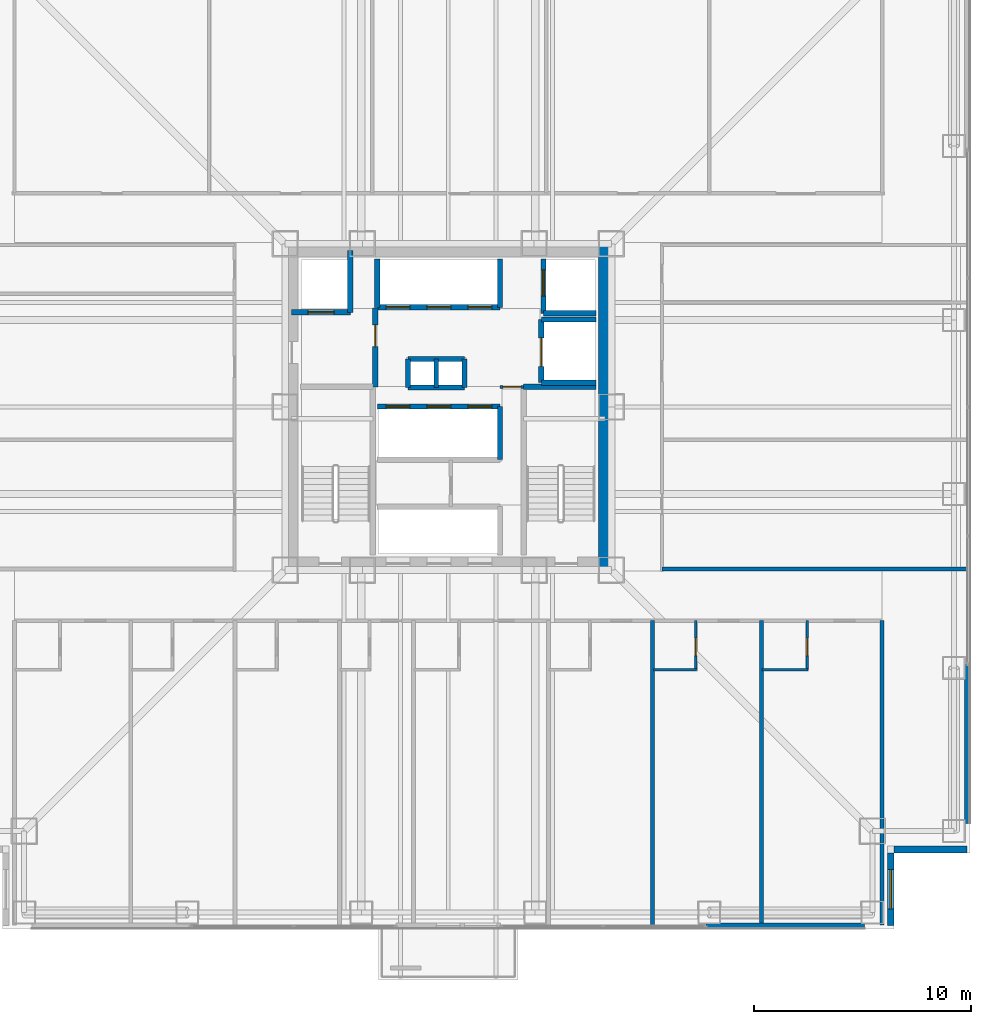
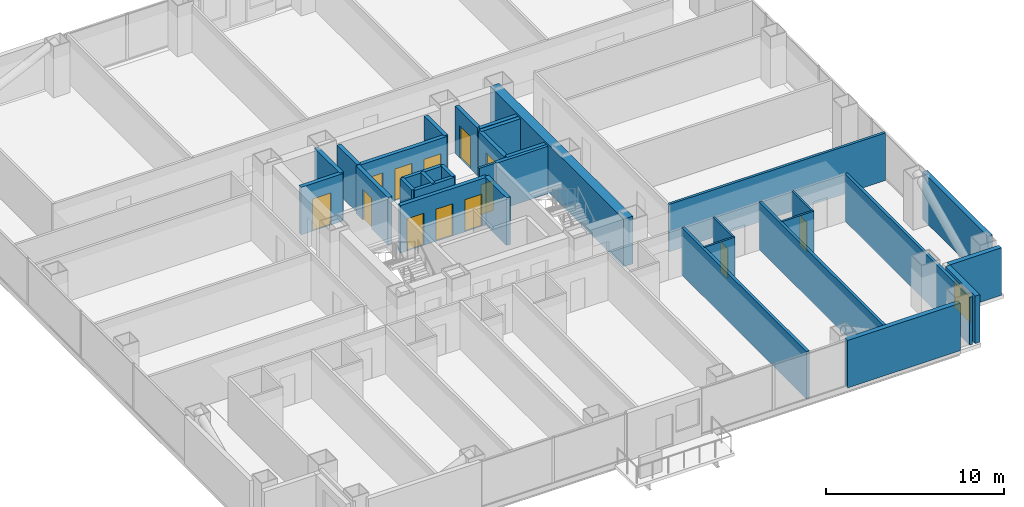
# One storey, part 12 of 16: 33 walls, 13 doors, 1 window, 14 openings.
"""IFC4 building model written with IfcOpenShell, lengths in metres."""

from ifc_helpers import new_model, si_unit, direction, frame, frame_2d, origin, place, context, subcontext, project, spatial, rectangle, extrude, material, layer, layer_set, type_object, element, fill, save


model = new_model("IFC4")

# Units and contexts
model_context = context("Model", 3, precision=1e-05, world=origin(), true_north=direction((0.0, 1.0)))
body_context = subcontext(model_context, "Body", "Model", "MODEL_VIEW")
ifc_project = project(units=[si_unit("LENGTHUNIT", "METRE"), si_unit("AREAUNIT", "SQUARE_METRE"), si_unit("VOLUMEUNIT", "CUBIC_METRE"), si_unit("PLANEANGLEUNIT", "RADIAN"), si_unit("MASSUNIT", "GRAM", prefix="KILO")], contexts=[model_context])

# Site, building, storey
site_placement = place(None, origin())
site = spatial("IfcSite", under=ifc_project, at=site_placement, CompositionType="ELEMENT")
building_placement = place(site_placement, origin())
building = spatial("IfcBuilding", under=site, at=building_placement, Name="Trevonay Congress Spire", CompositionType="ELEMENT")
storey_placement = place(building_placement, frame((0.0, 0.0, 65.5)))
storey = spatial("IfcBuildingStorey", under=building, at=storey_placement, Name="L16", CompositionType="ELEMENT", Elevation=65.5)

# Wall, opening, door
ifc_material_1 = material(Name="Concrete C40/50", Category="concrete")
ifc_layer_1 = layer(ifc_material_1, 0.1201171875, Name="Concrete C40/50")
ifc_layer_set_1 = layer_set([ifc_layer_1], Name="Concrete C40/50")
wall_type_1 = type_object("IfcWallType", Name="WAL-BATH-120", PredefinedType="PLUMBINGWALL", material=ifc_layer_set_1)
wall_1_placement = place(storey_placement, frame((11.388916015625, -12.080078125, 0.0), z_axis=(0.0, 0.0, 1.0), x_axis=(0.0, 1.0, 0.0)))
wall_1 = element("IfcWall", 1, at=wall_1_placement, inside=storey, type_object=wall_type_1, Name="L16 interior wall WH-L16S-BS7", PredefinedType="PLUMBINGWALL", context=body_context, shape_type="SweptSolid", body=[
    extrude(rectangle(XDim=2.25, YDim=0.1201171875, at=frame_2d((1.125, 0.0))), origin(), (0.0, 0.0, 1.0), 3.25),
])
opening_1_placement = place(wall_1_placement, frame((0.64990234375, 0.0, 0.0)))
opening_1 = element("IfcOpeningElement", 2, at=opening_1_placement, cuts=wall_1, Name="Opening D11", PredefinedType="OPENING", context=body_context, shape_type="SweptSolid", body=[
    extrude(rectangle(XDim=0.800048828125, YDim=2.050048828125, at=frame_2d((0.39990234375, 1.02490234375))), frame((0.0, 0.070068359375, 0.0), z_axis=(0.0, -1.0, 0.0), x_axis=(1.0, 0.0, 0.0)), (0.0, 0.0, 1.0), 0.14013671875),
])
ifc_material_2 = material(Name="Pale Anodised Aluminium EN AW-6063-T6", Category="aluminium")
door_type_1 = type_object("IfcDoorType", Name="DOR-BATH-80", OperationType="NOTDEFINED", PredefinedType="DOOR", material=ifc_material_2)
door_1_placement = place(opening_1_placement, origin())
door_1 = element("IfcDoor", 3, at=door_1_placement, inside=storey, type_object=door_type_1, Name="L16 En-suite Bathroom Door", OperationType="SINGLE_SWING_LEFT", OverallHeight=2.050048828125, OverallWidth=0.800048828125, PredefinedType="DOOR", context=body_context, shape_type="SweptSolid", body=[
    extrude(rectangle(XDim=0.800048828125, YDim=2.050048828125, at=frame_2d((0.39990234375, 1.02490234375))), frame((0.0, 0.02490234375, 0.0), z_axis=(0.0, -1.0, 0.0), x_axis=(1.0, 0.0, 0.0)), (0.0, 0.0, 1.0), 0.050048828125),
])
fill(opening_1, door_1)

# Wall
wall_2_placement = place(storey_placement, frame((9.429931640625, -12.080078125, 0.0), z_axis=(0.0, 0.0, 1.0), x_axis=(1.0, 0.0, 0.0)))
element("IfcWall", 4, at=wall_2_placement, inside=storey, type_object=wall_type_1, Name="L16 interior wall WH-L16S-BF7", PredefinedType="PLUMBINGWALL", context=body_context, shape_type="SweptSolid", body=[
    extrude(rectangle(XDim=1.989013671875, YDim=0.1201171875, at=frame_2d((0.99462890625, 0.0))), origin(), (0.0, 0.0, 1.0), 3.25),
])

# Wall, opening, door
wall_3_placement = place(storey_placement, frame((16.5, -12.080078125, 0.0), z_axis=(0.0, 0.0, 1.0), x_axis=(0.0, 1.0, 0.0)))
wall_3 = element("IfcWall", 5, at=wall_3_placement, inside=storey, type_object=wall_type_1, Name="L16 interior wall WH-L16S-BS8", PredefinedType="PLUMBINGWALL", context=body_context, shape_type="SweptSolid", body=[
    extrude(rectangle(XDim=2.25, YDim=0.1201171875, at=frame_2d((1.125, 0.0))), origin(), (0.0, 0.0, 1.0), 3.25),
])
opening_2_placement = place(wall_3_placement, frame((0.64990234375, 0.0, 0.0)))
opening_2 = element("IfcOpeningElement", 6, at=opening_2_placement, cuts=wall_3, Name="Opening D11", PredefinedType="OPENING", context=body_context, shape_type="SweptSolid", body=[
    extrude(rectangle(XDim=0.800048828125, YDim=2.050048828125, at=frame_2d((0.39990234375, 1.02490234375))), frame((0.0, 0.070068359375, 0.0), z_axis=(0.0, -1.0, 0.0), x_axis=(1.0, 0.0, 0.0)), (0.0, 0.0, 1.0), 0.14013671875),
])
door_2_placement = place(opening_2_placement, origin())
door_2 = element("IfcDoor", 7, at=door_2_placement, inside=storey, type_object=door_type_1, Name="L16 En-suite Bathroom Door", OperationType="SINGLE_SWING_RIGHT", OverallHeight=2.050048828125, OverallWidth=0.800048828125, PredefinedType="DOOR", context=body_context, shape_type="SweptSolid", body=[
    extrude(rectangle(XDim=0.800048828125, YDim=2.050048828125, at=frame_2d((0.39990234375, 1.02490234375))), frame((0.0, 0.02490234375, 0.0), z_axis=(0.0, -1.0, 0.0), x_axis=(1.0, 0.0, 0.0)), (0.0, 0.0, 1.0), 0.050048828125),
])
fill(opening_2, door_2)

# Walls
wall_4_placement = place(storey_placement, frame((14.429931640625, -12.080078125, 0.0), z_axis=(0.0, 0.0, 1.0), x_axis=(1.0, 0.0, 0.0)))
element("IfcWall", 8, at=wall_4_placement, inside=storey, type_object=wall_type_1, Name="L16 interior wall WH-L16S-BF8", PredefinedType="PLUMBINGWALL", context=body_context, shape_type="SweptSolid", body=[
    extrude(rectangle(XDim=2.10009765625, YDim=0.1201171875, at=frame_2d((1.050048828125, 0.0))), origin(), (0.0, 0.0, 1.0), 3.25),
])
ifc_material_3 = material(Name="Concrete C60/75", Category="concrete")
ifc_layer_2 = layer(ifc_material_3, 0.60009765625, Name="Concrete C60/75")
ifc_layer_set_2 = layer_set([ifc_layer_2], Name="Concrete C60/75")
wall_type_2 = type_object("IfcWallType", Name="WAL-CORE-600", PredefinedType="SHEAR", material=ifc_layer_set_2)
wall_5_placement = place(storey_placement, frame((7.199951171875, -7.5, 0.0), z_axis=(0.0, 0.0, 1.0), x_axis=(0.0, 1.0, 0.0)))
element("IfcWall", 9, at=wall_5_placement, inside=storey, type_object=wall_type_2, Name="L16 East structural core shear wall", PredefinedType="SHEAR", context=body_context, shape_type="SweptSolid", body=[
    extrude(rectangle(XDim=15.0, YDim=0.60009765625, at=frame_2d((7.5, 0.0))), origin(), (0.0, 0.0, 1.0), 3.25),
])
ifc_material_4 = material(Name="Precast concrete C40/50", Category="concrete")
ifc_layer_3 = layer(ifc_material_4, 0.300048828125, Name="Precast concrete C40/50")
ifc_layer_set_3 = layer_set([ifc_layer_3], Name="Precast concrete C40/50")
wall_type_3 = type_object("IfcWallType", Name="WAL-EXT-PRECAST-300", PredefinedType="SOLIDWALL", material=ifc_layer_set_3)
for number, where, z_axis, x_axis, name in (
    (10, (11.85009765625, -23.8798828125, 0.0), (0.0, 0.0, 1.0), (1.0, 0.0, 0.0), "L16 SR braced-bay exterior pier wall"),
    (11, (23.8798828125, -19.14990234375, 0.0), (0.0, 0.0, 1.0), (0.0, 1.0, 0.0), "L16 EL braced-bay exterior pier wall"),
):
    element("IfcWall", number, at=place(storey_placement, frame(where, z_axis=z_axis, x_axis=x_axis)), inside=storey, type_object=wall_type_3, Name=name, PredefinedType="SOLIDWALL", context=body_context, shape_type="SweptSolid", body=[
        extrude(rectangle(XDim=7.2998046875, YDim=0.300048828125, at=frame_2d((3.64990234375, 0.0))), origin(), (0.0, 0.0, 1.0), 3.25),
    ])

# Wall, opening, window
wall_6_placement = place(storey_placement, frame((20.35009765625, -23.85009765625, 0.0), z_axis=(0.0, 0.0, 1.0), x_axis=(0.0, 1.0, 0.0)))
wall_6 = element("IfcWall", 12, at=wall_6_placement, inside=storey, type_object=wall_type_3, Name="L16 SE re-entrant notch exterior wall 1", PredefinedType="SOLIDWALL", context=body_context, shape_type="SweptSolid", body=[
    extrude(rectangle(XDim=3.35009765625, YDim=0.300048828125, at=frame_2d((1.675048828125, 0.0))), origin(), (0.0, 0.0, 1.0), 3.25),
])
opening_3_placement = place(wall_6_placement, frame((0.77490234375, 0.0, 0.89990234375)))
opening_3 = element("IfcOpeningElement", 13, at=opening_3_placement, cuts=wall_6, Name="Opening WN01", PredefinedType="OPENING", context=body_context, shape_type="SweptSolid", body=[
    extrude(rectangle(XDim=1.800048828125, YDim=1.800048828125, at=frame_2d((0.89990234375, 0.89990234375))), frame((0.0, 0.16015625, 0.0), z_axis=(0.0, -1.0, 0.0), x_axis=(1.0, 0.0, 0.0)), (0.0, 0.0, 1.0), 0.320068359375),
])
ifc_material_5 = material(Name="Insulated Low-E Vision Glass IGU", Category="glass")
window_type = type_object("IfcWindowType", Name="WIN-HOTEL-180X180", PartitioningType="SINGLE_PANEL", PredefinedType="WINDOW", material=ifc_material_5)
window_placement = place(opening_3_placement, origin())
window = element("IfcWindow", 14, at=window_placement, inside=storey, type_object=window_type, Name="L16 SE corner notch window", OverallHeight=1.800048828125, OverallWidth=1.800048828125, PartitioningType="SINGLE_PANEL", PredefinedType="WINDOW", context=body_context, shape_type="SweptSolid", body=[
    extrude(rectangle(XDim=1.800048828125, YDim=1.800048828125, at=frame_2d((0.89990234375, 0.89990234375))), frame((0.0, 0.030029296875, 0.0), z_axis=(0.0, -1.0, 0.0), x_axis=(1.0, 0.0, 0.0)), (0.0, 0.0, 1.0), 0.06005859375),
])
fill(opening_3, window)

# Walls
wall_7_placement = place(storey_placement, frame((23.85009765625, -20.35009765625, 0.0), z_axis=(0.0, 0.0, 1.0), x_axis=(-1.0, 0.0, 0.0)))
element("IfcWall", 15, at=wall_7_placement, inside=storey, type_object=wall_type_3, Name="L16 SE re-entrant notch exterior wall 2", PredefinedType="SOLIDWALL", context=body_context, shape_type="SweptSolid", body=[
    extrude(rectangle(XDim=3.35009765625, YDim=0.300048828125, at=frame_2d((1.675048828125, 0.0))), origin(), (0.0, 0.0, 1.0), 3.25),
])
ifc_layer_4 = layer(ifc_material_1, 0.179931640625, Name="Concrete C40/50")
ifc_layer_set_4 = layer_set([ifc_layer_4], Name="Concrete C40/50")
wall_type_4 = type_object("IfcWallType", Name="WAL-HOTEL-180", PredefinedType="PARTITIONING", material=ifc_layer_set_4)
for number, where, z_axis, x_axis, name in (
    (16, (9.39990234375, -23.820068359375, 0.0), (0.0, 0.0, 1.0), (0.0, 1.0, 0.0), "L16 interior wall WH-L16S-DIV7"),
    (17, (14.39990234375, -23.820068359375, 0.0), (0.0, 0.0, 1.0), (0.0, 1.0, 0.0), "L16 interior wall WH-L16S-DIV8"),
    (18, (19.949951171875, -23.820068359375, 0.0), (0.0, 0.0, 1.0), (0.0, 1.0, 0.0), "L16 interior wall WH-L16S-DIV9"),
):
    element("IfcWall", number, at=place(storey_placement, frame(where, z_axis=z_axis, x_axis=x_axis)), inside=storey, type_object=wall_type_4, Name=name, PredefinedType="PARTITIONING", context=body_context, shape_type="SweptSolid", body=[
        extrude(rectangle(XDim=13.989990234375, YDim=0.179931640625, at=frame_2d((6.9951171875, 0.0))), origin(), (0.0, 0.0, 1.0), 3.25),
    ])

# Wall, opening, door
ifc_layer_5 = layer(ifc_material_1, 0.14990234375, Name="Concrete C40/50")
ifc_layer_set_5 = layer_set([ifc_layer_5], Name="Concrete C40/50")
wall_type_5 = type_object("IfcWallType", Name="WAL-PART-150", PredefinedType="PARTITIONING", material=ifc_layer_set_5)
wall_8_placement = place(storey_placement, frame((2.3798828125, 0.919921875, 0.0), z_axis=(0.0, 0.0, 1.0), x_axis=(1.0, 0.0, 0.0)))
wall_8 = element("IfcWall", 19, at=wall_8_placement, inside=storey, type_object=wall_type_5, Name="L16 interior wall CW-CSRV-N-L16", PredefinedType="PARTITIONING", context=body_context, shape_type="SweptSolid", body=[
    extrude(rectangle(XDim=1.090087890625, YDim=0.14990234375, at=frame_2d((0.544921875, 0.0))), origin(), (0.0, 0.0, 1.0), 3.25),
])
opening_4_placement = place(wall_8_placement, frame((0.135009765625, 0.0, 0.0)))
opening_4 = element("IfcOpeningElement", 20, at=opening_4_placement, cuts=wall_8, Name="Opening D13", PredefinedType="OPENING", context=body_context, shape_type="SweptSolid", body=[
    extrude(rectangle(XDim=0.820068359375, YDim=2.050048828125, at=frame_2d((0.41015625, 1.02490234375))), frame((0.0, 0.0849609375, 0.0), z_axis=(0.0, -1.0, 0.0), x_axis=(1.0, 0.0, 0.0)), (0.0, 0.0, 1.0), 0.169921875),
])
ifc_material_6 = material(Name="Steel ASTM A572 Grade 50", Category="steel")
door_type_2 = type_object("IfcDoorType", Name="DOR-UTIL-80", OperationType="NOTDEFINED", PredefinedType="DOOR", material=ifc_material_6)
door_3_placement = place(opening_4_placement, origin())
door_3 = element("IfcDoor", 21, at=door_3_placement, inside=storey, type_object=door_type_2, Name="L16 Core Service Pocket Door", OperationType="SINGLE_SWING_LEFT", OverallHeight=2.050048828125, OverallWidth=0.820068359375, PredefinedType="DOOR", context=body_context, shape_type="SweptSolid", body=[
    extrude(rectangle(XDim=0.820068359375, YDim=2.050048828125, at=frame_2d((0.41015625, 1.02490234375))), frame((0.0, 0.02490234375, 0.0), z_axis=(0.0, -1.0, 0.0), x_axis=(1.0, 0.0, 0.0)), (0.0, 0.0, 1.0), 0.050048828125),
])
fill(opening_4, door_3)

# Walls
ifc_layer_6 = layer(ifc_material_1, 0.219970703125, Name="Concrete C40/50")
ifc_layer_set_6 = layer_set([ifc_layer_6], Name="Concrete C40/50")
wall_type_6 = type_object("IfcWallType", Name="WAL-SHAFT-220", PredefinedType="PARTITIONING", material=ifc_layer_set_6)
for number, where, z_axis, x_axis, name in (
    (22, (-1.85009765625, 2.199951171875, 0.0), (0.0, 0.0, 1.0), (1.0, 0.0, 0.0), "L16 interior shaft wall WSH-L16-RSR-N"),
    (23, (-1.85009765625, 0.89990234375, 0.0), (0.0, 0.0, 1.0), (1.0, 0.0, 0.0), "L16 interior shaft wall WSH-L16-RSR-S"),
):
    element("IfcWall", number, at=place(storey_placement, frame(where, z_axis=z_axis, x_axis=x_axis)), inside=storey, type_object=wall_type_6, Name=name, PredefinedType="PARTITIONING", context=body_context, shape_type="SweptSolid", body=[
        extrude(rectangle(XDim=2.60009765625, YDim=0.219970703125, at=frame_2d((1.300048828125, 0.0))), origin(), (0.0, 0.0, 1.0), 3.25),
    ])
for number, where, z_axis, x_axis, name in (
    (24, (-0.550048828125, 0.89990234375, 0.0), (0.0, 0.0, 1.0), (0.0, 1.0, 0.0), "L16 interior shaft wall WSH-L16-RSR-M"),
    (25, (0.75, 0.89990234375, 0.0), (0.0, 0.0, 1.0), (0.0, 1.0, 0.0), "L16 interior shaft wall WSH-L16-RSR-E"),
    (26, (-1.85009765625, 0.89990234375, 0.0), (0.0, 0.0, 1.0), (0.0, 1.0, 0.0), "L16 interior shaft wall WSH-L16-RSR-W"),
):
    element("IfcWall", number, at=place(storey_placement, frame(where, z_axis=z_axis, x_axis=x_axis)), inside=storey, type_object=wall_type_6, Name=name, PredefinedType="PARTITIONING", context=body_context, shape_type="SweptSolid", body=[
        extrude(rectangle(XDim=1.300048828125, YDim=0.219970703125, at=frame_2d((0.64990234375, 0.0))), origin(), (0.0, 0.0, 1.0), 3.25),
    ])

# Wall, openings, doors
ifc_layer_7 = layer(ifc_material_1, 0.25, Name="Concrete C40/50")
ifc_layer_set_7 = layer_set([ifc_layer_7], Name="Concrete C40/50")
wall_type_7 = type_object("IfcWallType", Name="WAL-SHAFT-250", PredefinedType="SHEAR", material=ifc_layer_set_7)
wall_9_placement = place(storey_placement, frame((-3.260009765625, 0.02001953125, 0.0), z_axis=(0.0, 0.0, 1.0), x_axis=(1.0, 0.0, 0.0)))
wall_9 = element("IfcWall", 27, at=wall_9_placement, inside=storey, type_object=wall_type_7, Name="L16 interior shaft wall WSH-L16-B2-N", PredefinedType="SHEAR", context=body_context, shape_type="SweptSolid", body=[
    extrude(rectangle(XDim=5.639892578125, YDim=0.25, at=frame_2d((2.81982421875, 0.0))), origin(), (0.0, 0.0, 1.0), 3.25),
])
opening_5_placement = place(wall_9_placement, frame((0.39990234375, 0.0, 0.0)))
opening_5 = element("IfcOpeningElement", 28, at=opening_5_placement, cuts=wall_9, Name="Opening LD02", PredefinedType="OPENING", context=body_context, shape_type="SweptSolid", body=[
    extrude(rectangle(XDim=1.10009765625, YDim=2.199951171875, at=frame_2d((0.550048828125, 1.10009765625))), frame((0.0, 0.135009765625, 0.0), z_axis=(0.0, -1.0, 0.0), x_axis=(1.0, 0.0, 0.0)), (0.0, 0.0, 1.0), 0.27001953125),
])
opening_6_placement = place(wall_9_placement, frame((2.280029296875, 0.0, 0.0)))
opening_6 = element("IfcOpeningElement", 29, at=opening_6_placement, cuts=wall_9, Name="Opening LD02", PredefinedType="OPENING", context=body_context, shape_type="SweptSolid", body=[
    extrude(rectangle(XDim=1.10009765625, YDim=2.199951171875, at=frame_2d((0.550048828125, 1.10009765625))), frame((0.0, 0.135009765625, 0.0), z_axis=(0.0, -1.0, 0.0), x_axis=(1.0, 0.0, 0.0)), (0.0, 0.0, 1.0), 0.27001953125),
])
opening_7_placement = place(wall_9_placement, frame((4.159912109375, 0.0, 0.0)))
opening_7 = element("IfcOpeningElement", 30, at=opening_7_placement, cuts=wall_9, Name="Opening LD02", PredefinedType="OPENING", context=body_context, shape_type="SweptSolid", body=[
    extrude(rectangle(XDim=1.10009765625, YDim=2.199951171875, at=frame_2d((0.550048828125, 1.10009765625))), frame((0.0, 0.135009765625, 0.0), z_axis=(0.0, -1.0, 0.0), x_axis=(1.0, 0.0, 0.0)), (0.0, 0.0, 1.0), 0.27001953125),
])
door_type_3 = type_object("IfcDoorType", Name="DOR-LIFT-LD02", OperationType="DOUBLE_DOOR_SLIDING", PredefinedType="DOOR", material=ifc_material_2)
door_4_placement = place(opening_5_placement, origin())
door_4 = element("IfcDoor", 31, at=door_4_placement, inside=storey, type_object=door_type_3, Name="L16 Passenger lift PL-04 landing door", OperationType="DOUBLE_DOOR_SLIDING", OverallHeight=2.199951171875, OverallWidth=1.10009765625, PredefinedType="DOOR", context=body_context, shape_type="SweptSolid", body=[
    extrude(rectangle(XDim=1.10009765625, YDim=2.199951171875, at=frame_2d((0.550048828125, 1.10009765625))), frame((0.0, 0.02490234375, 0.0), z_axis=(0.0, -1.0, 0.0), x_axis=(1.0, 0.0, 0.0)), (0.0, 0.0, 1.0), 0.050048828125),
])
fill(opening_5, door_4)
door_5_placement = place(opening_6_placement, origin())
door_5 = element("IfcDoor", 32, at=door_5_placement, inside=storey, type_object=door_type_3, Name="L16 Passenger lift PL-05 landing door", OperationType="DOUBLE_DOOR_SLIDING", OverallHeight=2.199951171875, OverallWidth=1.10009765625, PredefinedType="DOOR", context=body_context, shape_type="SweptSolid", body=[
    extrude(rectangle(XDim=1.10009765625, YDim=2.199951171875, at=frame_2d((0.550048828125, 1.10009765625))), frame((0.0, 0.02490234375, 0.0), z_axis=(0.0, -1.0, 0.0), x_axis=(1.0, 0.0, 0.0)), (0.0, 0.0, 1.0), 0.050048828125),
])
fill(opening_6, door_5)
door_6_placement = place(opening_7_placement, origin())
door_6 = element("IfcDoor", 33, at=door_6_placement, inside=storey, type_object=door_type_3, Name="L16 Passenger lift PL-06 landing door", OperationType="DOUBLE_DOOR_SLIDING", OverallHeight=2.199951171875, OverallWidth=1.10009765625, PredefinedType="DOOR", context=body_context, shape_type="SweptSolid", body=[
    extrude(rectangle(XDim=1.10009765625, YDim=2.199951171875, at=frame_2d((0.550048828125, 1.10009765625))), frame((0.0, 0.02490234375, 0.0), z_axis=(0.0, -1.0, 0.0), x_axis=(1.0, 0.0, 0.0)), (0.0, 0.0, 1.0), 0.050048828125),
])
fill(opening_7, door_6)

# Wall
wall_10_placement = place(storey_placement, frame((2.3798828125, -2.419921875, 0.0), z_axis=(0.0, 0.0, 1.0), x_axis=(0.0, 1.0, 0.0)))
element("IfcWall", 34, at=wall_10_placement, inside=storey, type_object=wall_type_7, Name="L16 interior shaft wall WSH-L16-B2-E", PredefinedType="SHEAR", context=body_context, shape_type="SweptSolid", body=[
    extrude(rectangle(XDim=2.43994140625, YDim=0.25, at=frame_2d((1.219970703125, 0.0))), origin(), (0.0, 0.0, 1.0), 3.25),
])

# Wall, openings, doors
wall_11_placement = place(storey_placement, frame((-3.260009765625, 4.580078125, 0.0), z_axis=(0.0, 0.0, 1.0), x_axis=(1.0, 0.0, 0.0)))
wall_11 = element("IfcWall", 35, at=wall_11_placement, inside=storey, type_object=wall_type_7, Name="L16 interior shaft wall WSH-L16-B3-S", PredefinedType="SHEAR", context=body_context, shape_type="SweptSolid", body=[
    extrude(rectangle(XDim=5.639892578125, YDim=0.25, at=frame_2d((2.81982421875, 0.0))), origin(), (0.0, 0.0, 1.0), 3.25),
])
opening_8_placement = place(wall_11_placement, frame((0.39990234375, 0.0, 0.0)))
opening_8 = element("IfcOpeningElement", 36, at=opening_8_placement, cuts=wall_11, Name="Opening LD03", PredefinedType="OPENING", context=body_context, shape_type="SweptSolid", body=[
    extrude(rectangle(XDim=1.10009765625, YDim=2.199951171875, at=frame_2d((0.550048828125, 1.10009765625))), frame((0.0, 0.135009765625, 0.0), z_axis=(0.0, -1.0, 0.0), x_axis=(1.0, 0.0, 0.0)), (0.0, 0.0, 1.0), 0.27001953125),
])
opening_9_placement = place(wall_11_placement, frame((2.280029296875, 0.0, 0.0)))
opening_9 = element("IfcOpeningElement", 37, at=opening_9_placement, cuts=wall_11, Name="Opening LD03", PredefinedType="OPENING", context=body_context, shape_type="SweptSolid", body=[
    extrude(rectangle(XDim=1.10009765625, YDim=2.199951171875, at=frame_2d((0.550048828125, 1.10009765625))), frame((0.0, 0.135009765625, 0.0), z_axis=(0.0, -1.0, 0.0), x_axis=(1.0, 0.0, 0.0)), (0.0, 0.0, 1.0), 0.27001953125),
])
opening_10_placement = place(wall_11_placement, frame((4.159912109375, 0.0, 0.0)))
opening_10 = element("IfcOpeningElement", 38, at=opening_10_placement, cuts=wall_11, Name="Opening LD03", PredefinedType="OPENING", context=body_context, shape_type="SweptSolid", body=[
    extrude(rectangle(XDim=1.10009765625, YDim=2.199951171875, at=frame_2d((0.550048828125, 1.10009765625))), frame((0.0, 0.135009765625, 0.0), z_axis=(0.0, -1.0, 0.0), x_axis=(1.0, 0.0, 0.0)), (0.0, 0.0, 1.0), 0.27001953125),
])
door_type_4 = type_object("IfcDoorType", Name="DOR-LIFT-LD03", OperationType="DOUBLE_DOOR_SLIDING", PredefinedType="DOOR", material=ifc_material_2)
door_7_placement = place(opening_8_placement, origin())
door_7 = element("IfcDoor", 39, at=door_7_placement, inside=storey, type_object=door_type_4, Name="L16 Passenger lift PL-07 landing door", OperationType="DOUBLE_DOOR_SLIDING", OverallHeight=2.199951171875, OverallWidth=1.10009765625, PredefinedType="DOOR", context=body_context, shape_type="SweptSolid", body=[
    extrude(rectangle(XDim=1.10009765625, YDim=2.199951171875, at=frame_2d((0.550048828125, 1.10009765625))), frame((0.0, 0.02490234375, 0.0), z_axis=(0.0, -1.0, 0.0), x_axis=(1.0, 0.0, 0.0)), (0.0, 0.0, 1.0), 0.050048828125),
])
fill(opening_8, door_7)
door_8_placement = place(opening_9_placement, origin())
door_8 = element("IfcDoor", 40, at=door_8_placement, inside=storey, type_object=door_type_4, Name="L16 Passenger lift PL-08 landing door", OperationType="DOUBLE_DOOR_SLIDING", OverallHeight=2.199951171875, OverallWidth=1.10009765625, PredefinedType="DOOR", context=body_context, shape_type="SweptSolid", body=[
    extrude(rectangle(XDim=1.10009765625, YDim=2.199951171875, at=frame_2d((0.550048828125, 1.10009765625))), frame((0.0, 0.02490234375, 0.0), z_axis=(0.0, -1.0, 0.0), x_axis=(1.0, 0.0, 0.0)), (0.0, 0.0, 1.0), 0.050048828125),
])
fill(opening_9, door_8)
door_9_placement = place(opening_10_placement, origin())
door_9 = element("IfcDoor", 41, at=door_9_placement, inside=storey, type_object=door_type_4, Name="L16 Passenger lift PL-09 landing door", OperationType="DOUBLE_DOOR_SLIDING", OverallHeight=2.199951171875, OverallWidth=1.10009765625, PredefinedType="DOOR", context=body_context, shape_type="SweptSolid", body=[
    extrude(rectangle(XDim=1.10009765625, YDim=2.199951171875, at=frame_2d((0.550048828125, 1.10009765625))), frame((0.0, 0.02490234375, 0.0), z_axis=(0.0, -1.0, 0.0), x_axis=(1.0, 0.0, 0.0)), (0.0, 0.0, 1.0), 0.050048828125),
])
fill(opening_10, door_9)

# Walls
for number, where, z_axis, x_axis, name in (
    (42, (-3.260009765625, 4.580078125, 0.0), (0.0, 0.0, 1.0), (0.0, 1.0, 0.0), "L16 interior shaft wall WSH-L16-B3-W"),
    (43, (2.3798828125, 4.580078125, 0.0), (0.0, 0.0, 1.0), (0.0, 1.0, 0.0), "L16 interior shaft wall WSH-L16-B3-E"),
):
    element("IfcWall", number, at=place(storey_placement, frame(where, z_axis=z_axis, x_axis=x_axis)), inside=storey, type_object=wall_type_7, Name=name, PredefinedType="SHEAR", context=body_context, shape_type="SweptSolid", body=[
        extrude(rectangle(XDim=2.219970703125, YDim=0.25, at=frame_2d((1.10986328125, 0.0))), origin(), (0.0, 0.0, 1.0), 3.25),
    ])

# Wall, opening, door
wall_12_placement = place(storey_placement, frame((-7.199951171875, 4.35009765625, 0.0), z_axis=(0.0, 0.0, 1.0), x_axis=(1.0, 0.0, 0.0)))
wall_12 = element("IfcWall", 44, at=wall_12_placement, inside=storey, type_object=wall_type_7, Name="L16 interior shaft wall WSH-L16-FF1-S", PredefinedType="SHEAR", context=body_context, shape_type="SweptSolid", body=[
    extrude(rectangle(XDim=2.699951171875, YDim=0.25, at=frame_2d((1.35009765625, 0.0))), origin(), (0.0, 0.0, 1.0), 3.25),
])
opening_11_placement = place(wall_12_placement, frame((0.75, 0.0, 0.0)))
opening_11 = element("IfcOpeningElement", 45, at=opening_11_placement, cuts=wall_12, Name="Opening LD04", PredefinedType="OPENING", context=body_context, shape_type="SweptSolid", body=[
    extrude(rectangle(XDim=1.199951171875, YDim=2.199951171875, at=frame_2d((0.60009765625, 1.10009765625))), frame((0.0, 0.135009765625, 0.0), z_axis=(0.0, -1.0, 0.0), x_axis=(1.0, 0.0, 0.0)), (0.0, 0.0, 1.0), 0.27001953125),
])
door_type_5 = type_object("IfcDoorType", Name="DOR-LIFT-LD04", OperationType="DOUBLE_DOOR_SLIDING", PredefinedType="DOOR", material=ifc_material_6)
door_10_placement = place(opening_11_placement, origin())
door_10 = element("IfcDoor", 46, at=door_10_placement, inside=storey, type_object=door_type_5, Name="L16 Firefighting lift FFL-01 landing door", OperationType="DOUBLE_DOOR_SLIDING", OverallHeight=2.199951171875, OverallWidth=1.199951171875, PredefinedType="DOOR", context=body_context, shape_type="SweptSolid", body=[
    extrude(rectangle(XDim=1.199951171875, YDim=2.199951171875, at=frame_2d((0.60009765625, 1.10009765625))), frame((0.0, 0.02490234375, 0.0), z_axis=(0.0, -1.0, 0.0), x_axis=(1.0, 0.0, 0.0)), (0.0, 0.0, 1.0), 0.050048828125),
])
fill(opening_11, door_10)

# Walls
wall_13_placement = place(storey_placement, frame((-4.5, 4.35009765625, 0.0), z_axis=(0.0, 0.0, 1.0), x_axis=(0.0, 1.0, 0.0)))
element("IfcWall", 47, at=wall_13_placement, inside=storey, type_object=wall_type_7, Name="L16 interior shaft wall WSH-L16-FF1-E", PredefinedType="SHEAR", context=body_context, shape_type="SweptSolid", body=[
    extrude(rectangle(XDim=2.849853515625, YDim=0.25, at=frame_2d((1.4248046875, 0.0))), origin(), (0.0, 0.0, 1.0), 3.25),
])
wall_14_placement = place(storey_placement, frame((4.3798828125, 4.300048828125, 0.0), z_axis=(0.0, 0.0, 1.0), x_axis=(1.0, 0.0, 0.0)))
element("IfcWall", 48, at=wall_14_placement, inside=storey, type_object=wall_type_7, Name="L16 interior shaft wall WSH-L16-FF2-S", PredefinedType="SHEAR", context=body_context, shape_type="SweptSolid", body=[
    extrude(rectangle(XDim=2.420166015625, YDim=0.25, at=frame_2d((1.2099609375, 0.0))), origin(), (0.0, 0.0, 1.0), 3.25),
])

# Wall, opening, door
wall_15_placement = place(storey_placement, frame((4.3798828125, 4.300048828125, 0.0), z_axis=(0.0, 0.0, 1.0), x_axis=(0.0, 1.0, 0.0)))
wall_15 = element("IfcWall", 49, at=wall_15_placement, inside=storey, type_object=wall_type_7, Name="L16 interior shaft wall WSH-L16-FF2-W", PredefinedType="SHEAR", context=body_context, shape_type="SweptSolid", body=[
    extrude(rectangle(XDim=2.5, YDim=0.25, at=frame_2d((1.25, 0.0))), origin(), (0.0, 0.0, 1.0), 3.25),
])
opening_12_placement = place(wall_15_placement, frame((0.800048828125, 0.0, 0.0)))
opening_12 = element("IfcOpeningElement", 50, at=opening_12_placement, cuts=wall_15, Name="Opening LD04", PredefinedType="OPENING", context=body_context, shape_type="SweptSolid", body=[
    extrude(rectangle(XDim=1.199951171875, YDim=2.199951171875, at=frame_2d((0.60009765625, 1.10009765625))), frame((0.0, 0.135009765625, 0.0), z_axis=(0.0, -1.0, 0.0), x_axis=(1.0, 0.0, 0.0)), (0.0, 0.0, 1.0), 0.27001953125),
])
door_11_placement = place(opening_12_placement, origin())
door_11 = element("IfcDoor", 51, at=door_11_placement, inside=storey, type_object=door_type_5, Name="L16 Firefighting lift FFL-02 landing door", OperationType="DOUBLE_DOOR_SLIDING", OverallHeight=2.199951171875, OverallWidth=1.199951171875, PredefinedType="DOOR", context=body_context, shape_type="SweptSolid", body=[
    extrude(rectangle(XDim=1.199951171875, YDim=2.199951171875, at=frame_2d((0.60009765625, 1.10009765625))), frame((0.0, 0.02490234375, 0.0), z_axis=(0.0, -1.0, 0.0), x_axis=(1.0, 0.0, 0.0)), (0.0, 0.0, 1.0), 0.050048828125),
])
fill(opening_12, door_11)

wall_16_placement = place(storey_placement, frame((4.280029296875, 1.1201171875, 0.0), z_axis=(0.0, 0.0, 1.0), x_axis=(0.0, 1.0, 0.0)))
wall_16 = element("IfcWall", 52, at=wall_16_placement, inside=storey, type_object=wall_type_7, Name="L16 interior shaft wall WSH-L16-SV-W", PredefinedType="SHEAR", context=body_context, shape_type="SweptSolid", body=[
    extrude(rectangle(XDim=2.89990234375, YDim=0.25, at=frame_2d((1.449951171875, 0.0))), origin(), (0.0, 0.0, 1.0), 3.25),
])
opening_13_placement = place(wall_16_placement, frame((0.75, 0.0, 0.0)))
opening_13 = element("IfcOpeningElement", 53, at=opening_13_placement, cuts=wall_16, Name="Opening LD05", PredefinedType="OPENING", context=body_context, shape_type="SweptSolid", body=[
    extrude(rectangle(XDim=1.300048828125, YDim=2.300048828125, at=frame_2d((0.64990234375, 1.14990234375))), frame((0.0, 0.135009765625, 0.0), z_axis=(0.0, -1.0, 0.0), x_axis=(1.0, 0.0, 0.0)), (0.0, 0.0, 1.0), 0.27001953125),
])
door_type_6 = type_object("IfcDoorType", Name="DOR-LIFT-LD05", OperationType="DOUBLE_DOOR_SLIDING", PredefinedType="DOOR", material=ifc_material_6)
door_12_placement = place(opening_13_placement, origin())
door_12 = element("IfcDoor", 54, at=door_12_placement, inside=storey, type_object=door_type_6, Name="L16 Goods lift SVL-01 landing door", OperationType="DOUBLE_DOOR_SLIDING", OverallHeight=2.300048828125, OverallWidth=1.300048828125, PredefinedType="DOOR", context=body_context, shape_type="SweptSolid", body=[
    extrude(rectangle(XDim=1.300048828125, YDim=2.300048828125, at=frame_2d((0.64990234375, 1.14990234375))), frame((0.0, 0.02490234375, 0.0), z_axis=(0.0, -1.0, 0.0), x_axis=(1.0, 0.0, 0.0)), (0.0, 0.0, 1.0), 0.050048828125),
])
fill(opening_13, door_12)

# Walls
for number, where, z_axis, x_axis, name in (
    (55, (4.280029296875, 1.1201171875, 0.0), (0.0, 0.0, 1.0), (1.0, 0.0, 0.0), "L16 interior shaft wall WSH-L16-SV-S"),
    (56, (4.280029296875, 4.02001953125, 0.0), (0.0, 0.0, 1.0), (1.0, 0.0, 0.0), "L16 interior shaft wall WSH-L16-SV-N"),
):
    element("IfcWall", number, at=place(storey_placement, frame(where, z_axis=z_axis, x_axis=x_axis)), inside=storey, type_object=wall_type_7, Name=name, PredefinedType="SHEAR", context=body_context, shape_type="SweptSolid", body=[
        extrude(rectangle(XDim=2.52001953125, YDim=0.25, at=frame_2d((1.260009765625, 0.0))), origin(), (0.0, 0.0, 1.0), 3.25),
    ])

# Wall, opening, door
wall_17_placement = place(storey_placement, frame((-3.35009765625, 0.919921875, 0.0), z_axis=(0.0, 0.0, 1.0), x_axis=(0.0, 1.0, 0.0)))
wall_17 = element("IfcWall", 57, at=wall_17_placement, inside=storey, type_object=wall_type_7, Name="L16 interior wall CW-FFLW-E-L16", PredefinedType="SHEAR", context=body_context, shape_type="SweptSolid", body=[
    extrude(rectangle(XDim=3.6201171875, YDim=0.25, at=frame_2d((1.81005859375, 0.0))), origin(), (0.0, 0.0, 1.0), 3.25),
])
opening_14_placement = place(wall_17_placement, frame((1.85009765625, 0.0, 0.0)))
opening_14 = element("IfcOpeningElement", 58, at=opening_14_placement, cuts=wall_17, Name="Opening D06", PredefinedType="OPENING", context=body_context, shape_type="SweptSolid", body=[
    extrude(rectangle(XDim=1.0, YDim=2.080078125, at=frame_2d((0.5, 1.0400390625))), frame((0.0, 0.135009765625, 0.0), z_axis=(0.0, -1.0, 0.0), x_axis=(1.0, 0.0, 0.0)), (0.0, 0.0, 1.0), 0.27001953125),
])
door_type_7 = type_object("IfcDoorType", Name="DOR-FIRE-100", OperationType="NOTDEFINED", PredefinedType="DOOR", material=ifc_material_6)
door_13_placement = place(opening_14_placement, origin())
door_13 = element("IfcDoor", 59, at=door_13_placement, inside=storey, type_object=door_type_7, Name="L16 Firefighting Core Lobby Transfer Door", OperationType="SINGLE_SWING_RIGHT", OverallHeight=2.080078125, OverallWidth=1.0, PredefinedType="DOOR", context=body_context, shape_type="SweptSolid", body=[
    extrude(rectangle(XDim=1.0, YDim=2.080078125, at=frame_2d((0.5, 1.0400390625))), frame((0.0, 0.02490234375, 0.0), z_axis=(0.0, -1.0, 0.0), x_axis=(1.0, 0.0, 0.0)), (0.0, 0.0, 1.0), 0.050048828125),
])
fill(opening_14, door_13)

# Walls
ifc_layer_8 = layer(ifc_material_1, 0.25, Name="Concrete C40/50")
ifc_layer_set_8 = layer_set([ifc_layer_8], Name="Concrete C40/50")
wall_type_8 = type_object("IfcWallType", Name="WAL-SHAFT-LB-250", PredefinedType="SHEAR", material=ifc_layer_set_8)
wall_18_placement = place(storey_placement, frame((3.469970703125, 0.919921875, 0.0), z_axis=(0.0, 0.0, 1.0), x_axis=(1.0, 0.0, 0.0)))
element("IfcWall", 60, at=wall_18_placement, inside=storey, type_object=wall_type_8, Name="L16 interior shaft wall WSH-L16-ST2-N", PredefinedType="SHEAR", context=body_context, shape_type="SweptSolid", body=[
    extrude(rectangle(XDim=3.330078125, YDim=0.25, at=frame_2d((1.6650390625, 0.0))), origin(), (0.0, 0.0, 1.0), 3.25),
])
ifc_layer_9 = layer(ifc_material_1, 0.1650390625, Name="Concrete C40/50")
ifc_layer_set_9 = layer_set([ifc_layer_9], Name="Concrete C40/50")
wall_type_9 = type_object("IfcWallType", Name="WAL-WET-165", PredefinedType="PLUMBINGWALL", material=ifc_layer_set_9)
wall_19_placement = place(storey_placement, frame((9.830078125, -7.449951171875, 0.0), z_axis=(0.0, 0.0, 1.0), x_axis=(1.0, 0.0, 0.0)))
element("IfcWall", 61, at=wall_19_placement, inside=storey, type_object=wall_type_9, Name="L16 interior wall WP-L16E-DIV1", PredefinedType="PLUMBINGWALL", context=body_context, shape_type="SweptSolid", body=[
    extrude(rectangle(XDim=13.989990234375, YDim=0.1650390625, at=frame_2d((6.9951171875, 0.0))), origin(), (0.0, 0.0, 1.0), 3.25),
])

save(model, "model.ifc")
